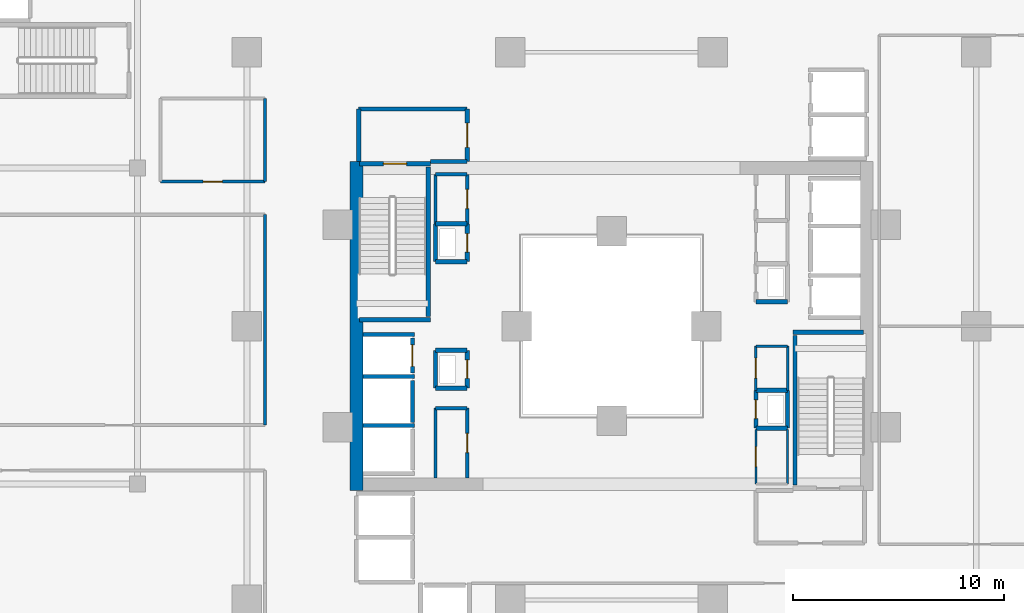
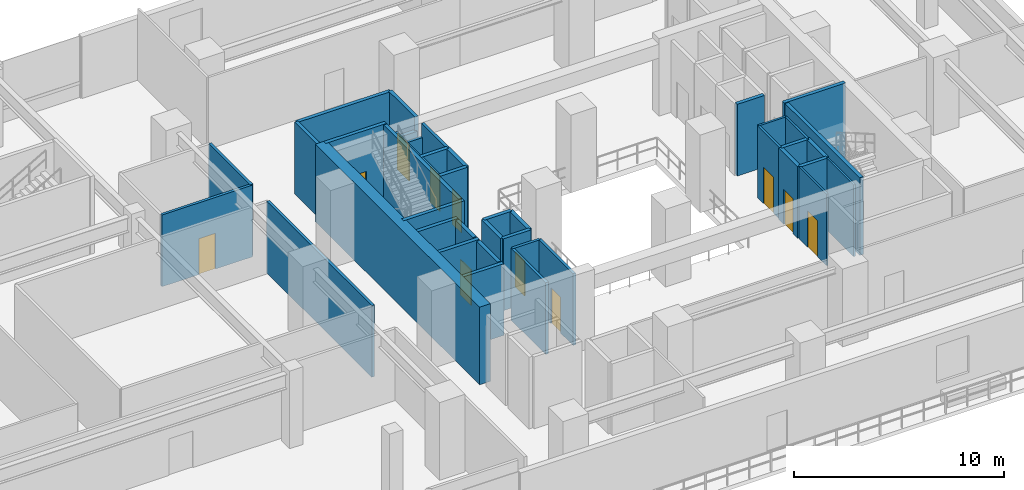
# One storey, part 17 of 25: 42 walls, 11 doors, 11 openings.
"""IFC4 building model written with IfcOpenShell, lengths in metres."""

from ifc_helpers import new_model, si_unit, direction, frame, frame_2d, origin, place, context, subcontext, project, spatial, rectangle, extrude, material, layer, layer_set, type_object, element, fill, save


model = new_model("IFC4")

# Units and contexts
model_context = context("Model", 3, precision=1e-05, world=origin(), true_north=direction((0.0, 1.0)))
body_context = subcontext(model_context, "Body", "Model", "MODEL_VIEW")
ifc_project = project(units=[si_unit("LENGTHUNIT", "METRE"), si_unit("AREAUNIT", "SQUARE_METRE"), si_unit("VOLUMEUNIT", "CUBIC_METRE"), si_unit("PLANEANGLEUNIT", "RADIAN"), si_unit("MASSUNIT", "GRAM", prefix="KILO")], contexts=[model_context])

# Site, building, storey
site_placement = place(None, origin())
site = spatial("IfcSite", under=ifc_project, at=site_placement, CompositionType="ELEMENT")
building_placement = place(site_placement, origin())
building = spatial("IfcBuilding", under=site, at=building_placement, Name="Thornwick Lancets Civic Towers", CompositionType="ELEMENT")
storey_placement = place(building_placement, frame((0.0, 0.0, 9.60009765625)))
storey = spatial("IfcBuildingStorey", under=building, at=storey_placement, Name="L02", CompositionType="ELEMENT", Elevation=9.60009765625)

# Wall, opening, door
ifc_material_1 = material(Name="Concrete blockwork C40/50", Category="masonry")
ifc_layer_1 = layer(ifc_material_1, 0.199951171875, Name="Concrete blockwork C40/50")
ifc_layer_set_1 = layer_set([ifc_layer_1], Name="Concrete blockwork C40/50")
wall_type_1 = type_object("IfcWallType", Name="WALL_COMP_200", PredefinedType="STANDARD", material=ifc_layer_set_1)
wall_1_placement = place(storey_placement, frame((79.050048828125, 24.780029296875, 0.0), z_axis=(0.0, 0.0, 1.0), x_axis=(0.0, 1.0, 0.0)))
wall_1 = element("IfcWall", 1, at=wall_1_placement, inside=storey, type_object=wall_type_1, Name="L02 Hoistway Front Wall FL-B2", PredefinedType="STANDARD", context=body_context, shape_type="SweptSolid", body=[
    extrude(rectangle(XDim=1.639892578125, YDim=0.199951171875, at=frame_2d((0.81982421875, 0.0))), origin(), (0.0, 0.0, 1.0), 4.159912109375),
])
opening_1_placement = place(wall_1_placement, frame((0.31005859375, 0.0, 0.0)))
opening_1 = element("IfcOpeningElement", 2, at=opening_1_placement, cuts=wall_1, Name="Opening LD-FL-B2", PredefinedType="OPENING", context=body_context, shape_type="SweptSolid", body=[
    extrude(rectangle(XDim=1.02001953125, YDim=2.06005859375, at=frame_2d((0.510009765625, 1.030029296875))), frame((0.0, 0.10986328125, 0.0), z_axis=(0.0, -1.0, 0.0), x_axis=(1.0, 0.0, 0.0)), (0.0, 0.0, 1.0), 0.219970703125),
])
ifc_material_2 = material(Name="Brushed bronze stainless steel", Category="steel")
door_type_1 = type_object("IfcDoorType", Name="DOOR_LIFT_SLIDE", OperationType="SLIDING_TO_LEFT", PredefinedType="DOOR", material=ifc_material_2)
door_1_placement = place(opening_1_placement, origin())
door_1 = element("IfcDoor", 3, at=door_1_placement, inside=storey, type_object=door_type_1, Name="L02 Sliding Lift Landing Door LD-FL-B2", OperationType="SLIDING_TO_LEFT", OverallHeight=2.06005859375, OverallWidth=1.02001953125, PredefinedType="DOOR", context=body_context, shape_type="SweptSolid", body=[
    extrude(rectangle(XDim=1.02001953125, YDim=2.06005859375, at=frame_2d((0.510009765625, 1.030029296875))), frame((0.0, 0.02490234375, 0.0), z_axis=(0.0, -1.0, 0.0), x_axis=(1.0, 0.0, 0.0)), (0.0, 0.0, 1.0), 0.050048828125),
])
fill(opening_1, door_1)

# Walls
wall_2_placement = place(storey_placement, frame((79.050048828125, 22.429931640625, 0.0), z_axis=(0.0, 0.0, 1.0), x_axis=(0.0, 1.0, 0.0)))
element("IfcWall", 4, at=wall_2_placement, inside=storey, type_object=wall_type_1, Name="L02 Hoistway Front Wall PL-BH2", PredefinedType="STANDARD", context=body_context, shape_type="SweptSolid", body=[
    extrude(rectangle(XDim=1.989990234375, YDim=0.199951171875, at=frame_2d((0.9951171875, 0.0))), origin(), (0.0, 0.0, 1.0), 4.159912109375),
])
for number, where, z_axis, x_axis, name in (
    (5, (76.7119140625, 26.60009765625, 0.0), (0.0, 0.0, 1.0), (1.0, 0.0, 0.0), "L02 Hoistway Shaft Wall FL-B2 N"),
    (6, (76.7119140625, 24.60009765625, 0.0), (0.0, 0.0, 1.0), (1.0, 0.0, 0.0), "L02 Hoistway Shaft Wall FL-B2 S"),
    (7, (76.7119140625, 22.27490234375, 0.0), (0.0, 0.0, 1.0), (1.0, 0.0, 0.0), "L02 Hoistway Shaft Wall PL-BH2 S"),
):
    element("IfcWall", number, at=place(storey_placement, frame(where, z_axis=z_axis, x_axis=x_axis)), inside=storey, type_object=wall_type_1, Name=name, PredefinedType="STANDARD", context=body_context, shape_type="SweptSolid", body=[
        extrude(rectangle(XDim=2.43603515625, YDim=0.199951171875, at=frame_2d((1.218017578125, 0.0))), origin(), (0.0, 0.0, 1.0), 4.159912109375),
    ])
wall_3_placement = place(storey_placement, frame((79.89990234375, 34.800048828125, 0.0), z_axis=(0.0, 0.0, 1.0), x_axis=(1.0, 0.0, 0.0)))
element("IfcWall", 8, at=wall_3_placement, inside=storey, type_object=wall_type_1, Name="L02 Partition L02-B-FFLOB2 E1", PredefinedType="STANDARD", context=body_context, shape_type="SweptSolid", body=[
    extrude(rectangle(XDim=1.75, YDim=0.199951171875, at=frame_2d((0.875, 0.0))), origin(), (0.0, 0.0, 1.0), 3.364990234375),
])

# Wall, opening, door
wall_4_placement = place(storey_placement, frame((81.64990234375, 34.800048828125, 0.0), z_axis=(0.0, 0.0, 1.0), x_axis=(0.0, 1.0, 0.0)))
wall_4 = element("IfcWall", 9, at=wall_4_placement, inside=storey, type_object=wall_type_1, Name="L02 Partition L02-B-FFLOB2 E2", PredefinedType="STANDARD", context=body_context, shape_type="SweptSolid", body=[
    extrude(rectangle(XDim=2.5, YDim=0.199951171875, at=frame_2d((1.25, 0.0))), origin(), (0.0, 0.0, 1.0), 4.159912109375),
])
opening_2_placement = place(wall_4_placement, frame((0.675048828125, 0.0, 0.0)))
opening_2 = element("IfcOpeningElement", 10, at=opening_2_placement, cuts=wall_4, Name="Opening D-L02-0151", PredefinedType="OPENING", context=body_context, shape_type="SweptSolid", body=[
    extrude(rectangle(XDim=1.14990234375, YDim=2.10009765625, at=frame_2d((0.574951171875, 1.050048828125))), frame((0.0, 0.10986328125, 0.0), z_axis=(0.0, -1.0, 0.0), x_axis=(1.0, 0.0, 0.0)), (0.0, 0.0, 1.0), 0.219970703125),
])
ifc_material_3 = material(Name="Glazed fire-resisting steel", Category="steel")
door_type_2 = type_object("IfcDoorType", Name="DOOR_LOBBY_FD60", OperationType="NOTDEFINED", PredefinedType="DOOR", material=ifc_material_3)
door_2_placement = place(opening_2_placement, origin())
door_2 = element("IfcDoor", 11, at=door_2_placement, inside=storey, type_object=door_type_2, Name="L02 West Firefighting Lobby 2 Door", OperationType="SINGLE_SWING_RIGHT", OverallHeight=2.10009765625, OverallWidth=1.14990234375, PredefinedType="DOOR", context=body_context, shape_type="SweptSolid", body=[
    extrude(rectangle(XDim=1.14990234375, YDim=2.10009765625, at=frame_2d((0.574951171875, 1.050048828125))), frame((0.0, 0.02490234375, 0.0), z_axis=(0.0, -1.0, 0.0), x_axis=(1.0, 0.0, 0.0)), (0.0, 0.0, 1.0), 0.050048828125),
])
fill(opening_2, door_2)

# Walls
wall_5_placement = place(storey_placement, frame((81.64990234375, 37.300048828125, 0.0), z_axis=(0.0, 0.0, 1.0), x_axis=(-1.0, 0.0, 0.0)))
element("IfcWall", 12, at=wall_5_placement, inside=storey, type_object=wall_type_1, Name="L02 Partition L02-B-FFLOB2 E3", PredefinedType="STANDARD", context=body_context, shape_type="SweptSolid", body=[
    extrude(rectangle(XDim=5.14990234375, YDim=0.199951171875, at=frame_2d((2.574951171875, 0.0))), origin(), (0.0, 0.0, 1.0), 4.159912109375),
])
wall_6_placement = place(storey_placement, frame((76.5, 37.300048828125, 0.0), z_axis=(0.0, 0.0, 1.0), x_axis=(0.0, -1.0, 0.0)))
element("IfcWall", 13, at=wall_6_placement, inside=storey, type_object=wall_type_1, Name="L02 Partition L02-B-FFLOB2 E4", PredefinedType="STANDARD", context=body_context, shape_type="SweptSolid", body=[
    extrude(rectangle(XDim=2.5, YDim=0.199951171875, at=frame_2d((1.25, 0.0))), origin(), (0.0, 0.0, 1.0), 4.159912109375),
])
for number, where, z_axis, x_axis, name in (
    (14, (95.35009765625, 28.14990234375, 0.0), (0.0, 0.0, 1.0), (1.0, 0.0, 0.0), "L02 Partition L02-B-DUCT1 E1"),
    (15, (95.35009765625, 22.14990234375, 0.0), (0.0, 0.0, 1.0), (1.0, 0.0, 0.0), "L02 Partition L02-B-RISER1 E1"),
):
    element("IfcWall", number, at=place(storey_placement, frame(where, z_axis=z_axis, x_axis=x_axis)), inside=storey, type_object=wall_type_1, Name=name, PredefinedType="STANDARD", context=body_context, shape_type="SweptSolid", body=[
        extrude(rectangle(XDim=1.5, YDim=0.199951171875, at=frame_2d((0.75, 0.0))), origin(), (0.0, 0.0, 1.0), 4.159912109375),
    ])
wall_7_placement = place(storey_placement, frame((96.85009765625, 22.14990234375, 0.0), z_axis=(0.0, 0.0, 1.0), x_axis=(0.0, 1.0, 0.0)))
element("IfcWall", 16, at=wall_7_placement, inside=storey, type_object=wall_type_1, Name="L02 Partition L02-B-RISER1 E2", PredefinedType="STANDARD", context=body_context, shape_type="SweptSolid", body=[
    extrude(rectangle(XDim=1.800048828125, YDim=0.199951171875, at=frame_2d((0.89990234375, 0.0))), origin(), (0.0, 0.0, 1.0), 4.159912109375),
])
wall_8_placement = place(storey_placement, frame((96.85009765625, 23.949951171875, 0.0), z_axis=(0.0, 0.0, 1.0), x_axis=(-1.0, 0.0, 0.0)))
element("IfcWall", 17, at=wall_8_placement, inside=storey, type_object=wall_type_1, Name="L02 Partition L02-B-RISER1 E3", PredefinedType="STANDARD", context=body_context, shape_type="SweptSolid", body=[
    extrude(rectangle(XDim=1.5, YDim=0.199951171875, at=frame_2d((0.75, 0.0))), origin(), (0.0, 0.0, 1.0), 4.159912109375),
])

# Wall, opening, door
wall_9_placement = place(storey_placement, frame((95.35009765625, 23.949951171875, 0.0), z_axis=(0.0, 0.0, 1.0), x_axis=(0.0, -1.0, 0.0)))
wall_9 = element("IfcWall", 18, at=wall_9_placement, inside=storey, type_object=wall_type_1, Name="L02 Partition L02-B-RISER1 E4", PredefinedType="STANDARD", context=body_context, shape_type="SweptSolid", body=[
    extrude(rectangle(XDim=1.800048828125, YDim=0.199951171875, at=frame_2d((0.89990234375, 0.0))), origin(), (0.0, 0.0, 1.0), 4.159912109375),
])
opening_3_placement = place(wall_9_placement, frame((0.4599609375, 0.0, 0.0)))
opening_3 = element("IfcOpeningElement", 19, at=opening_3_placement, cuts=wall_9, Name="Opening D-L02-0153", PredefinedType="OPENING", context=body_context, shape_type="SweptSolid", body=[
    extrude(rectangle(XDim=0.8798828125, YDim=2.0400390625, at=frame_2d((0.43994140625, 1.02001953125))), frame((0.0, 0.10986328125, 0.0), z_axis=(0.0, -1.0, 0.0), x_axis=(1.0, 0.0, 0.0)), (0.0, 0.0, 1.0), 0.219970703125),
])
ifc_material_4 = material(Name="Steel riser access doorset", Category="steel")
door_type_3 = type_object("IfcDoorType", Name="DOOR_RISER_850", OperationType="NOTDEFINED", PredefinedType="DOOR", material=ifc_material_4)
door_3_placement = place(opening_3_placement, origin())
door_3 = element("IfcDoor", 20, at=door_3_placement, inside=storey, type_object=door_type_3, Name="L02 East Electrical Riser 1 Door", OperationType="SINGLE_SWING_RIGHT", OverallHeight=2.0400390625, OverallWidth=0.8798828125, PredefinedType="DOOR", context=body_context, shape_type="SweptSolid", body=[
    extrude(rectangle(XDim=0.8798828125, YDim=2.0400390625, at=frame_2d((0.43994140625, 1.02001953125))), frame((0.0, 0.02490234375, 0.0), z_axis=(0.0, -1.0, 0.0), x_axis=(1.0, 0.0, 0.0)), (0.0, 0.0, 1.0), 0.050048828125),
])
fill(opening_3, door_3)

# Wall
wall_10_placement = place(storey_placement, frame((80.14990234375, 24.050048828125, 0.0), z_axis=(0.0, 0.0, 1.0), x_axis=(1.0, 0.0, 0.0)))
element("IfcWall", 21, at=wall_10_placement, inside=storey, type_object=wall_type_1, Name="L02 Partition L02-B-DUCT2 E1", PredefinedType="STANDARD", context=body_context, shape_type="SweptSolid", body=[
    extrude(rectangle(XDim=1.5, YDim=0.199951171875, at=frame_2d((0.75, 0.0))), origin(), (0.0, 0.0, 1.0), 4.159912109375),
])

# Wall, opening, door
wall_11_placement = place(storey_placement, frame((81.64990234375, 24.050048828125, 0.0), z_axis=(0.0, 0.0, 1.0), x_axis=(0.0, 1.0, 0.0)))
wall_11 = element("IfcWall", 22, at=wall_11_placement, inside=storey, type_object=wall_type_1, Name="L02 Partition L02-B-DUCT2 E2", PredefinedType="STANDARD", context=body_context, shape_type="SweptSolid", body=[
    extrude(rectangle(XDim=1.800048828125, YDim=0.199951171875, at=frame_2d((0.89990234375, 0.0))), origin(), (0.0, 0.0, 1.0), 4.159912109375),
])
opening_4_placement = place(wall_11_placement, frame((0.4599609375, 0.0, 0.0)))
opening_4 = element("IfcOpeningElement", 23, at=opening_4_placement, cuts=wall_11, Name="Opening D-L02-0154", PredefinedType="OPENING", context=body_context, shape_type="SweptSolid", body=[
    extrude(rectangle(XDim=0.8798828125, YDim=2.0400390625, at=frame_2d((0.43994140625, 1.02001953125))), frame((0.0, 0.10986328125, 0.0), z_axis=(0.0, -1.0, 0.0), x_axis=(1.0, 0.0, 0.0)), (0.0, 0.0, 1.0), 0.219970703125),
])
door_4_placement = place(opening_4_placement, origin())
door_4 = element("IfcDoor", 24, at=door_4_placement, inside=storey, type_object=door_type_3, Name="L02 West Service Duct 2 Door", OperationType="SINGLE_SWING_LEFT", OverallHeight=2.0400390625, OverallWidth=0.8798828125, PredefinedType="DOOR", context=body_context, shape_type="SweptSolid", body=[
    extrude(rectangle(XDim=0.8798828125, YDim=2.0400390625, at=frame_2d((0.43994140625, 1.02001953125))), frame((0.0, 0.02490234375, 0.0), z_axis=(0.0, -1.0, 0.0), x_axis=(1.0, 0.0, 0.0)), (0.0, 0.0, 1.0), 0.050048828125),
])
fill(opening_4, door_4)

# Walls
wall_12_placement = place(storey_placement, frame((81.64990234375, 25.85009765625, 0.0), z_axis=(0.0, 0.0, 1.0), x_axis=(-1.0, 0.0, 0.0)))
element("IfcWall", 25, at=wall_12_placement, inside=storey, type_object=wall_type_1, Name="L02 Partition L02-B-DUCT2 E3", PredefinedType="STANDARD", context=body_context, shape_type="SweptSolid", body=[
    extrude(rectangle(XDim=1.5, YDim=0.199951171875, at=frame_2d((0.75, 0.0))), origin(), (0.0, 0.0, 1.0), 4.159912109375),
])
wall_13_placement = place(storey_placement, frame((80.14990234375, 25.85009765625, 0.0), z_axis=(0.0, 0.0, 1.0), x_axis=(0.0, -1.0, 0.0)))
element("IfcWall", 26, at=wall_13_placement, inside=storey, type_object=wall_type_1, Name="L02 Partition L02-B-DUCT2 E4", PredefinedType="STANDARD", context=body_context, shape_type="SweptSolid", body=[
    extrude(rectangle(XDim=1.800048828125, YDim=0.199951171875, at=frame_2d((0.89990234375, 0.0))), origin(), (0.0, 0.0, 1.0), 4.159912109375),
])
wall_14_placement = place(storey_placement, frame((80.14990234375, 30.050048828125, 0.0), z_axis=(0.0, 0.0, 1.0), x_axis=(1.0, 0.0, 0.0)))
element("IfcWall", 27, at=wall_14_placement, inside=storey, type_object=wall_type_1, Name="L02 Partition L02-B-RISER2 E1", PredefinedType="STANDARD", context=body_context, shape_type="SweptSolid", body=[
    extrude(rectangle(XDim=1.5, YDim=0.199951171875, at=frame_2d((0.75, 0.0))), origin(), (0.0, 0.0, 1.0), 4.159912109375),
])

# Wall, opening, door
wall_15_placement = place(storey_placement, frame((81.64990234375, 30.050048828125, 0.0), z_axis=(0.0, 0.0, 1.0), x_axis=(0.0, 1.0, 0.0)))
wall_15 = element("IfcWall", 28, at=wall_15_placement, inside=storey, type_object=wall_type_1, Name="L02 Partition L02-B-RISER2 E2", PredefinedType="STANDARD", context=body_context, shape_type="SweptSolid", body=[
    extrude(rectangle(XDim=1.800048828125, YDim=0.199951171875, at=frame_2d((0.89990234375, 0.0))), origin(), (0.0, 0.0, 1.0), 4.159912109375),
])
opening_5_placement = place(wall_15_placement, frame((0.4599609375, 0.0, 0.0)))
opening_5 = element("IfcOpeningElement", 29, at=opening_5_placement, cuts=wall_15, Name="Opening D-L02-0155", PredefinedType="OPENING", context=body_context, shape_type="SweptSolid", body=[
    extrude(rectangle(XDim=0.8798828125, YDim=2.0400390625, at=frame_2d((0.43994140625, 1.02001953125))), frame((0.0, 0.10986328125, 0.0), z_axis=(0.0, -1.0, 0.0), x_axis=(1.0, 0.0, 0.0)), (0.0, 0.0, 1.0), 0.219970703125),
])
door_5_placement = place(opening_5_placement, origin())
door_5 = element("IfcDoor", 30, at=door_5_placement, inside=storey, type_object=door_type_3, Name="L02 West Service Riser 2 Door", OperationType="SINGLE_SWING_RIGHT", OverallHeight=2.0400390625, OverallWidth=0.8798828125, PredefinedType="DOOR", context=body_context, shape_type="SweptSolid", body=[
    extrude(rectangle(XDim=0.8798828125, YDim=2.0400390625, at=frame_2d((0.43994140625, 1.02001953125))), frame((0.0, 0.02490234375, 0.0), z_axis=(0.0, -1.0, 0.0), x_axis=(1.0, 0.0, 0.0)), (0.0, 0.0, 1.0), 0.050048828125),
])
fill(opening_5, door_5)

# Walls
wall_16_placement = place(storey_placement, frame((81.64990234375, 31.85009765625, 0.0), z_axis=(0.0, 0.0, 1.0), x_axis=(-1.0, 0.0, 0.0)))
element("IfcWall", 31, at=wall_16_placement, inside=storey, type_object=wall_type_1, Name="L02 Partition L02-B-RISER2 E3", PredefinedType="STANDARD", context=body_context, shape_type="SweptSolid", body=[
    extrude(rectangle(XDim=1.5, YDim=0.199951171875, at=frame_2d((0.75, 0.0))), origin(), (0.0, 0.0, 1.0), 4.159912109375),
])
wall_17_placement = place(storey_placement, frame((80.14990234375, 31.85009765625, 0.0), z_axis=(0.0, 0.0, 1.0), x_axis=(0.0, -1.0, 0.0)))
element("IfcWall", 32, at=wall_17_placement, inside=storey, type_object=wall_type_1, Name="L02 Partition L02-B-RISER2 E4", PredefinedType="STANDARD", context=body_context, shape_type="SweptSolid", body=[
    extrude(rectangle(XDim=1.800048828125, YDim=0.199951171875, at=frame_2d((0.89990234375, 0.0))), origin(), (0.0, 0.0, 1.0), 4.159912109375),
])
ifc_material_5 = material(Name="Concrete C60/75", Category="concrete")
ifc_layer_2 = layer(ifc_material_5, 0.60009765625, Name="Concrete C60/75")
ifc_layer_set_2 = layer_set([ifc_layer_2], Name="Concrete C60/75")
wall_type_2 = type_object("IfcWallType", Name="WALL_CORE_600", PredefinedType="SHEAR", material=ifc_layer_set_2)
wall_18_placement = place(storey_placement, frame((76.39990234375, 19.199951171875, 0.0), z_axis=(0.0, 0.0, 1.0), x_axis=(0.0, 1.0, 0.0)))
element("IfcWall", 33, at=wall_18_placement, inside=storey, type_object=wall_type_2, Name="L02 Split Core B2 Shear Wall W", PredefinedType="SHEAR", context=body_context, shape_type="SweptSolid", body=[
    extrude(rectangle(XDim=15.60009765625, YDim=0.60009765625, at=frame_2d((7.800048828125, 0.0))), origin(), (0.0, 0.0, 1.0), 4.5),
])
ifc_material_6 = material(Name="Lightweight cellular office partition")
ifc_layer_3 = layer(ifc_material_6, 0.10009765625, Name="Lightweight cellular office partition")
ifc_layer_set_3 = layer_set([ifc_layer_3], Name="Lightweight cellular office partition")
wall_type_3 = type_object("IfcWallType", Name="WALL_PART_100", PredefinedType="PARTITIONING", material=ifc_layer_set_3)
wall_19_placement = place(storey_placement, frame((96.85009765625, 19.5, 0.0), z_axis=(0.0, 0.0, 1.0), x_axis=(0.0, 1.0, 0.0)))
element("IfcWall", 34, at=wall_19_placement, inside=storey, type_object=wall_type_3, Name="L02 Partition L02-B-CLN E2", PredefinedType="PARTITIONING", context=body_context, shape_type="SweptSolid", body=[
    extrude(rectangle(XDim=2.60009765625, YDim=0.10009765625, at=frame_2d((1.300048828125, 0.0))), origin(), (0.0, 0.0, 1.0), 4.159912109375),
])

# Wall, opening, door
wall_20_placement = place(storey_placement, frame((95.35009765625, 22.10009765625, 0.0), z_axis=(0.0, 0.0, 1.0), x_axis=(0.0, -1.0, 0.0)))
wall_20 = element("IfcWall", 35, at=wall_20_placement, inside=storey, type_object=wall_type_3, Name="L02 Partition L02-B-CLN E4", PredefinedType="PARTITIONING", context=body_context, shape_type="SweptSolid", body=[
    extrude(rectangle(XDim=2.60009765625, YDim=0.10009765625, at=frame_2d((1.300048828125, 0.0))), origin(), (0.0, 0.0, 1.0), 4.159912109375),
])
opening_6_placement = place(wall_20_placement, frame((0.824951171875, 0.0, 0.0)))
opening_6 = element("IfcOpeningElement", 36, at=opening_6_placement, cuts=wall_20, Name="Opening D-L02-0156", PredefinedType="OPENING", context=body_context, shape_type="SweptSolid", body=[
    extrude(rectangle(XDim=0.949951171875, YDim=2.10009765625, at=frame_2d((0.47509765625, 1.050048828125))), frame((0.0, 0.06005859375, 0.0), z_axis=(0.0, -1.0, 0.0), x_axis=(1.0, 0.0, 0.0)), (0.0, 0.0, 1.0), 0.1201171875),
])
ifc_material_7 = material(Name="European oak acoustic doorset")
door_type_4 = type_object("IfcDoorType", Name="DOOR_OFFICE_950", OperationType="NOTDEFINED", PredefinedType="DOOR", material=ifc_material_7)
door_6_placement = place(opening_6_placement, origin())
door_6 = element("IfcDoor", 37, at=door_6_placement, inside=storey, type_object=door_type_4, Name="L02 Tower B Cleaners Store Door", OperationType="SINGLE_SWING_LEFT", OverallHeight=2.10009765625, OverallWidth=0.949951171875, PredefinedType="DOOR", context=body_context, shape_type="SweptSolid", body=[
    extrude(rectangle(XDim=0.949951171875, YDim=2.10009765625, at=frame_2d((0.47509765625, 1.050048828125))), frame((0.0, 0.02490234375, 0.0), z_axis=(0.0, -1.0, 0.0), x_axis=(1.0, 0.0, 0.0)), (0.0, 0.0, 1.0), 0.050048828125),
])
fill(opening_6, door_6)

ifc_material_8 = material(Name="Acoustic gypsum board partition")
ifc_layer_4 = layer(ifc_material_8, 0.1201171875, Name="Acoustic gypsum board partition")
ifc_layer_set_4 = layer_set([ifc_layer_4], Name="Acoustic gypsum board partition")
wall_type_4 = type_object("IfcWallType", Name="WALL_PART_120", PredefinedType="PARTITIONING", material=ifc_layer_set_4)
wall_21_placement = place(storey_placement, frame((95.35009765625, 23.949951171875, 0.0), z_axis=(0.0, 0.0, 1.0), x_axis=(0.0, 1.0, 0.0)))
wall_21 = element("IfcWall", 38, at=wall_21_placement, inside=storey, type_object=wall_type_4, Name="L02 Partition L02-B-ITR E1", PredefinedType="PARTITIONING", context=body_context, shape_type="SweptSolid", body=[
    extrude(rectangle(XDim=2.10009765625, YDim=0.1201171875, at=frame_2d((1.050048828125, 0.0))), origin(), (0.0, 0.0, 1.0), 4.159912109375),
])
opening_7_placement = place(wall_21_placement, frame((0.574951171875, 0.0, 0.0)))
opening_7 = element("IfcOpeningElement", 39, at=opening_7_placement, cuts=wall_21, Name="Opening D-L02-0157", PredefinedType="OPENING", context=body_context, shape_type="SweptSolid", body=[
    extrude(rectangle(XDim=0.949951171875, YDim=2.10009765625, at=frame_2d((0.47509765625, 1.050048828125))), frame((0.0, 0.070068359375, 0.0), z_axis=(0.0, -1.0, 0.0), x_axis=(1.0, 0.0, 0.0)), (0.0, 0.0, 1.0), 0.14013671875),
])
door_7_placement = place(opening_7_placement, origin())
door_7 = element("IfcDoor", 40, at=door_7_placement, inside=storey, type_object=door_type_4, Name="L02 Tower B Comms Patch Room Door", OperationType="SINGLE_SWING_RIGHT", OverallHeight=2.10009765625, OverallWidth=0.949951171875, PredefinedType="DOOR", context=body_context, shape_type="SweptSolid", body=[
    extrude(rectangle(XDim=0.949951171875, YDim=2.10009765625, at=frame_2d((0.47509765625, 1.050048828125))), frame((0.0, 0.02490234375, 0.0), z_axis=(0.0, -1.0, 0.0), x_axis=(1.0, 0.0, 0.0)), (0.0, 0.0, 1.0), 0.050048828125),
])
fill(opening_7, door_7)

# Walls
wall_22_placement = place(storey_placement, frame((95.35009765625, 26.050048828125, 0.0), z_axis=(0.0, 0.0, 1.0), x_axis=(1.0, 0.0, 0.0)))
element("IfcWall", 41, at=wall_22_placement, inside=storey, type_object=wall_type_4, Name="L02 Partition L02-B-ITR E2", PredefinedType="PARTITIONING", context=body_context, shape_type="SweptSolid", body=[
    extrude(rectangle(XDim=1.5, YDim=0.1201171875, at=frame_2d((0.75, 0.0))), origin(), (0.0, 0.0, 1.0), 4.159912109375),
])
wall_23_placement = place(storey_placement, frame((96.85009765625, 26.050048828125, 0.0), z_axis=(0.0, 0.0, 1.0), x_axis=(0.0, -1.0, 0.0)))
element("IfcWall", 42, at=wall_23_placement, inside=storey, type_object=wall_type_4, Name="L02 Partition L02-B-ITR E3", PredefinedType="PARTITIONING", context=body_context, shape_type="SweptSolid", body=[
    extrude(rectangle(XDim=2.10009765625, YDim=0.1201171875, at=frame_2d((1.050048828125, 0.0))), origin(), (0.0, 0.0, 1.0), 4.159912109375),
])

# Wall, opening, door
ifc_material_9 = material(Name="Twin-stud acoustic gypsum board")
ifc_layer_5 = layer(ifc_material_9, 0.14990234375, Name="Twin-stud acoustic gypsum board")
ifc_layer_set_5 = layer_set([ifc_layer_5], Name="Twin-stud acoustic gypsum board")
wall_type_5 = type_object("IfcWallType", Name="WALL_PART_150", PredefinedType="PARTITIONING", material=ifc_layer_set_5)
wall_24_placement = place(storey_placement, frame((81.64990234375, 19.800048828125, 0.0), z_axis=(0.0, 0.0, 1.0), x_axis=(0.0, 1.0, 0.0)))
wall_24 = element("IfcWall", 43, at=wall_24_placement, inside=storey, type_object=wall_type_5, Name="L02 Partition L02-B-MWC E2", PredefinedType="PARTITIONING", context=body_context, shape_type="SweptSolid", body=[
    extrude(rectangle(XDim=3.300048828125, YDim=0.14990234375, at=frame_2d((1.64990234375, 0.0))), origin(), (0.0, 0.0, 1.0), 4.159912109375),
])
opening_8_placement = place(wall_24_placement, frame((1.18994140625, 0.0, 0.0)))
opening_8 = element("IfcOpeningElement", 44, at=opening_8_placement, cuts=wall_24, Name="Opening D-L02-0160", PredefinedType="OPENING", context=body_context, shape_type="SweptSolid", body=[
    extrude(rectangle(XDim=0.919921875, YDim=2.080078125, at=frame_2d((0.4599609375, 1.0400390625))), frame((0.0, 0.0849609375, 0.0), z_axis=(0.0, -1.0, 0.0), x_axis=(1.0, 0.0, 0.0)), (0.0, 0.0, 1.0), 0.169921875),
])
ifc_material_10 = material(Name="Moisture-resistant oak doorset")
door_type_5 = type_object("IfcDoorType", Name="DOOR_WC_900", OperationType="NOTDEFINED", PredefinedType="DOOR", material=ifc_material_10)
door_8_placement = place(opening_8_placement, origin())
door_8 = element("IfcDoor", 45, at=door_8_placement, inside=storey, type_object=door_type_5, Name="L02 Tower B Male WC Door", OperationType="SINGLE_SWING_LEFT", OverallHeight=2.080078125, OverallWidth=0.919921875, PredefinedType="DOOR", context=body_context, shape_type="SweptSolid", body=[
    extrude(rectangle(XDim=0.919921875, YDim=2.080078125, at=frame_2d((0.4599609375, 1.0400390625))), frame((0.0, 0.02490234375, 0.0), z_axis=(0.0, -1.0, 0.0), x_axis=(1.0, 0.0, 0.0)), (0.0, 0.0, 1.0), 0.050048828125),
])
fill(opening_8, door_8)

# Walls
wall_25_placement = place(storey_placement, frame((81.64990234375, 23.10009765625, 0.0), z_axis=(0.0, 0.0, 1.0), x_axis=(-1.0, 0.0, 0.0)))
element("IfcWall", 46, at=wall_25_placement, inside=storey, type_object=wall_type_5, Name="L02 Partition L02-B-MWC E3", PredefinedType="PARTITIONING", context=body_context, shape_type="SweptSolid", body=[
    extrude(rectangle(XDim=1.5, YDim=0.14990234375, at=frame_2d((0.75, 0.0))), origin(), (0.0, 0.0, 1.0), 4.159912109375),
])
wall_26_placement = place(storey_placement, frame((80.14990234375, 23.10009765625, 0.0), z_axis=(0.0, 0.0, 1.0), x_axis=(0.0, -1.0, 0.0)))
element("IfcWall", 47, at=wall_26_placement, inside=storey, type_object=wall_type_5, Name="L02 Partition L02-B-MWC E4", PredefinedType="PARTITIONING", context=body_context, shape_type="SweptSolid", body=[
    extrude(rectangle(XDim=3.300048828125, YDim=0.14990234375, at=frame_2d((1.64990234375, 0.0))), origin(), (0.0, 0.0, 1.0), 4.159912109375),
])
wall_27_placement = place(storey_placement, frame((80.14990234375, 31.85009765625, 0.0), z_axis=(0.0, 0.0, 1.0), x_axis=(0.0, 1.0, 0.0)))
element("IfcWall", 48, at=wall_27_placement, inside=storey, type_object=wall_type_5, Name="L02 Partition L02-B-FWC E1", PredefinedType="PARTITIONING", context=body_context, shape_type="SweptSolid", body=[
    extrude(rectangle(XDim=2.349853515625, YDim=0.14990234375, at=frame_2d((1.1748046875, 0.0))), origin(), (0.0, 0.0, 1.0), 4.159912109375),
])
wall_28_placement = place(storey_placement, frame((80.14990234375, 34.199951171875, 0.0), z_axis=(0.0, 0.0, 1.0), x_axis=(1.0, 0.0, 0.0)))
element("IfcWall", 49, at=wall_28_placement, inside=storey, type_object=wall_type_5, Name="L02 Partition L02-B-FWC E2", PredefinedType="PARTITIONING", context=body_context, shape_type="SweptSolid", body=[
    extrude(rectangle(XDim=1.5, YDim=0.14990234375, at=frame_2d((0.75, 0.0))), origin(), (0.0, 0.0, 1.0), 3.364990234375),
])

# Wall, opening, door
wall_29_placement = place(storey_placement, frame((81.64990234375, 34.199951171875, 0.0), z_axis=(0.0, 0.0, 1.0), x_axis=(0.0, -1.0, 0.0)))
wall_29 = element("IfcWall", 50, at=wall_29_placement, inside=storey, type_object=wall_type_5, Name="L02 Partition L02-B-FWC E3", PredefinedType="PARTITIONING", context=body_context, shape_type="SweptSolid", body=[
    extrude(rectangle(XDim=2.349853515625, YDim=0.14990234375, at=frame_2d((1.1748046875, 0.0))), origin(), (0.0, 0.0, 1.0), 4.159912109375),
])
opening_9_placement = place(wall_29_placement, frame((0.715087890625, 0.0, 0.0)))
opening_9 = element("IfcOpeningElement", 51, at=opening_9_placement, cuts=wall_29, Name="Opening D-L02-0161", PredefinedType="OPENING", context=body_context, shape_type="SweptSolid", body=[
    extrude(rectangle(XDim=0.919921875, YDim=2.080078125, at=frame_2d((0.4599609375, 1.0400390625))), frame((0.0, 0.0849609375, 0.0), z_axis=(0.0, -1.0, 0.0), x_axis=(1.0, 0.0, 0.0)), (0.0, 0.0, 1.0), 0.169921875),
])
door_9_placement = place(opening_9_placement, origin())
door_9 = element("IfcDoor", 52, at=door_9_placement, inside=storey, type_object=door_type_5, Name="L02 Tower B Female WC Door", OperationType="SINGLE_SWING_RIGHT", OverallHeight=2.080078125, OverallWidth=0.919921875, PredefinedType="DOOR", context=body_context, shape_type="SweptSolid", body=[
    extrude(rectangle(XDim=0.919921875, YDim=2.080078125, at=frame_2d((0.4599609375, 1.0400390625))), frame((0.0, 0.02490234375, 0.0), z_axis=(0.0, -1.0, 0.0), x_axis=(1.0, 0.0, 0.0)), (0.0, 0.0, 1.0), 0.050048828125),
])
fill(opening_9, door_9)

wall_30_placement = place(storey_placement, frame((67.10009765625, 33.85009765625, 0.0), z_axis=(0.0, 0.0, 1.0), x_axis=(1.0, 0.0, 0.0)))
wall_30 = element("IfcWall", 53, at=wall_30_placement, inside=storey, type_object=wall_type_5, Name="L02 Partition L02-POD-FWC E1", PredefinedType="PARTITIONING", context=body_context, shape_type="SweptSolid", body=[
    extrude(rectangle(XDim=4.949951171875, YDim=0.14990234375, at=frame_2d((2.47509765625, 0.0))), origin(), (0.0, 0.0, 1.0), 4.159912109375),
])
opening_10_placement = place(wall_30_placement, frame((2.014892578125, 0.0, 0.0)))
opening_10 = element("IfcOpeningElement", 54, at=opening_10_placement, cuts=wall_30, Name="Opening D-L02-0163", PredefinedType="OPENING", context=body_context, shape_type="SweptSolid", body=[
    extrude(rectangle(XDim=0.919921875, YDim=2.080078125, at=frame_2d((0.4599609375, 1.0400390625))), frame((0.0, 0.0849609375, 0.0), z_axis=(0.0, -1.0, 0.0), x_axis=(1.0, 0.0, 0.0)), (0.0, 0.0, 1.0), 0.169921875),
])
door_10_placement = place(opening_10_placement, origin())
door_10 = element("IfcDoor", 55, at=door_10_placement, inside=storey, type_object=door_type_5, Name="L02 Podium Public Female WC Door", OperationType="SINGLE_SWING_RIGHT", OverallHeight=2.080078125, OverallWidth=0.919921875, PredefinedType="DOOR", context=body_context, shape_type="SweptSolid", body=[
    extrude(rectangle(XDim=0.919921875, YDim=2.080078125, at=frame_2d((0.4599609375, 1.0400390625))), frame((0.0, 0.02490234375, 0.0), z_axis=(0.0, -1.0, 0.0), x_axis=(1.0, 0.0, 0.0)), (0.0, 0.0, 1.0), 0.050048828125),
])
fill(opening_10, door_10)

# Walls
wall_31_placement = place(storey_placement, frame((72.050048828125, 33.85009765625, 0.0), z_axis=(0.0, 0.0, 1.0), x_axis=(0.0, 1.0, 0.0)))
element("IfcWall", 56, at=wall_31_placement, inside=storey, type_object=wall_type_5, Name="L02 Partition L02-POD-FWC E2", PredefinedType="PARTITIONING", context=body_context, shape_type="SweptSolid", body=[
    extrude(rectangle(XDim=3.949951171875, YDim=0.14990234375, at=frame_2d((1.97509765625, 0.0))), origin(), (0.0, 0.0, 1.0), 4.159912109375),
])
wall_32_placement = place(storey_placement, frame((72.050048828125, 32.280029296875, 0.0), z_axis=(0.0, 0.0, 1.0), x_axis=(0.0, -1.0, 0.0)))
element("IfcWall", 57, at=wall_32_placement, inside=storey, type_object=wall_type_5, Name="L02 Partition L02-CSE E4", PredefinedType="PARTITIONING", context=body_context, shape_type="SweptSolid", body=[
    extrude(rectangle(XDim=9.97998046875, YDim=0.14990234375, at=frame_2d((4.989990234375, 0.0))), origin(), (0.0, 0.0, 1.0), 4.159912109375),
])
ifc_material_11 = material(Name="Concrete C40/50", Category="concrete")
ifc_layer_6 = layer(ifc_material_11, 0.199951171875, Name="Concrete C40/50")
ifc_layer_set_6 = layer_set([ifc_layer_6], Name="Concrete C40/50")
wall_type_6 = type_object("IfcWallType", Name="WALL_SHAFT_200", PredefinedType="SHEAR", material=ifc_layer_set_6)
wall_33_placement = place(storey_placement, frame((97.10009765625, 26.699951171875, 0.0), z_axis=(0.0, 0.0, 1.0), x_axis=(1.0, 0.0, 0.0)))
element("IfcWall", 58, at=wall_33_placement, inside=storey, type_object=wall_type_6, Name="L02 ST-B1 Fire Stair Core Wall FAR", PredefinedType="SHEAR", context=body_context, shape_type="SweptSolid", body=[
    extrude(rectangle(XDim=3.349853515625, YDim=0.199951171875, at=frame_2d((1.6748046875, 0.0))), origin(), (0.0, 0.0, 1.0), 4.5),
])
wall_34_placement = place(storey_placement, frame((97.202880859375, 26.550048828125, 0.0), z_axis=(0.0, 0.0, 1.0), x_axis=(0.0, -1.0, 0.0)))
element("IfcWall", 59, at=wall_34_placement, inside=storey, type_object=wall_type_6, Name="L02 ST-B1 Fire Stair Core Wall RIGHT", PredefinedType="SHEAR", context=body_context, shape_type="SweptSolid", body=[
    extrude(rectangle(XDim=7.10009765625, YDim=0.199951171875, at=frame_2d((3.550048828125, 0.0))), origin(), (0.0, 0.0, 1.0), 4.5),
])

# Wall, opening, door
wall_35_placement = place(storey_placement, frame((76.550048828125, 34.699951171875, 0.0), z_axis=(0.0, 0.0, 1.0), x_axis=(1.0, 0.0, 0.0)))
wall_35 = element("IfcWall", 60, at=wall_35_placement, inside=storey, type_object=wall_type_6, Name="L02 ST-B2 Fire Stair Core Wall NEAR", PredefinedType="SHEAR", context=body_context, shape_type="SweptSolid", body=[
    extrude(rectangle(XDim=3.349853515625, YDim=0.199951171875, at=frame_2d((1.6748046875, 0.0))), origin(), (0.0, 0.0, 1.0), 4.5),
])
opening_11_placement = place(wall_35_placement, frame((1.125, 0.0, 0.0)))
opening_11 = element("IfcOpeningElement", 61, at=opening_11_placement, cuts=wall_35, Name="Opening D-ST-B2-L02", PredefinedType="OPENING", context=body_context, shape_type="SweptSolid", body=[
    extrude(rectangle(XDim=1.10009765625, YDim=2.10009765625, at=frame_2d((0.550048828125, 1.050048828125))), frame((0.0, 0.10986328125, 0.0), z_axis=(0.0, -1.0, 0.0), x_axis=(1.0, 0.0, 0.0)), (0.0, 0.0, 1.0), 0.219970703125),
])
ifc_material_12 = material(Name="Fire-resisting steel and hardwood", Category="steel")
door_type_6 = type_object("IfcDoorType", Name="DOOR_STAIR_FD60", OperationType="NOTDEFINED", PredefinedType="DOOR", material=ifc_material_12)
door_11_placement = place(opening_11_placement, origin())
door_11 = element("IfcDoor", 62, at=door_11_placement, inside=storey, type_object=door_type_6, Name="L02 ST-B2 Exit Stair Door", OperationType="SINGLE_SWING_RIGHT", OverallHeight=2.10009765625, OverallWidth=1.10009765625, PredefinedType="DOOR", context=body_context, shape_type="SweptSolid", body=[
    extrude(rectangle(XDim=1.10009765625, YDim=2.10009765625, at=frame_2d((0.550048828125, 1.050048828125))), frame((0.0, 0.02490234375, 0.0), z_axis=(0.0, -1.0, 0.0), x_axis=(1.0, 0.0, 0.0)), (0.0, 0.0, 1.0), 0.050048828125),
])
fill(opening_11, door_11)

# Walls
wall_36_placement = place(storey_placement, frame((79.89990234375, 27.300048828125, 0.0), z_axis=(0.0, 0.0, 1.0), x_axis=(-1.0, 0.0, 0.0)))
element("IfcWall", 63, at=wall_36_placement, inside=storey, type_object=wall_type_6, Name="L02 ST-B2 Fire Stair Core Wall FAR", PredefinedType="SHEAR", context=body_context, shape_type="SweptSolid", body=[
    extrude(rectangle(XDim=3.349853515625, YDim=0.199951171875, at=frame_2d((1.6748046875, 0.0))), origin(), (0.0, 0.0, 1.0), 4.5),
])
wall_37_placement = place(storey_placement, frame((79.797119140625, 27.449951171875, 0.0), z_axis=(0.0, 0.0, 1.0), x_axis=(0.0, 1.0, 0.0)))
element("IfcWall", 64, at=wall_37_placement, inside=storey, type_object=wall_type_6, Name="L02 ST-B2 Fire Stair Core Wall RIGHT", PredefinedType="SHEAR", context=body_context, shape_type="SweptSolid", body=[
    extrude(rectangle(XDim=7.10009765625, YDim=0.199951171875, at=frame_2d((3.550048828125, 0.0))), origin(), (0.0, 0.0, 1.0), 4.5),
])

save(model, "model.ifc")
